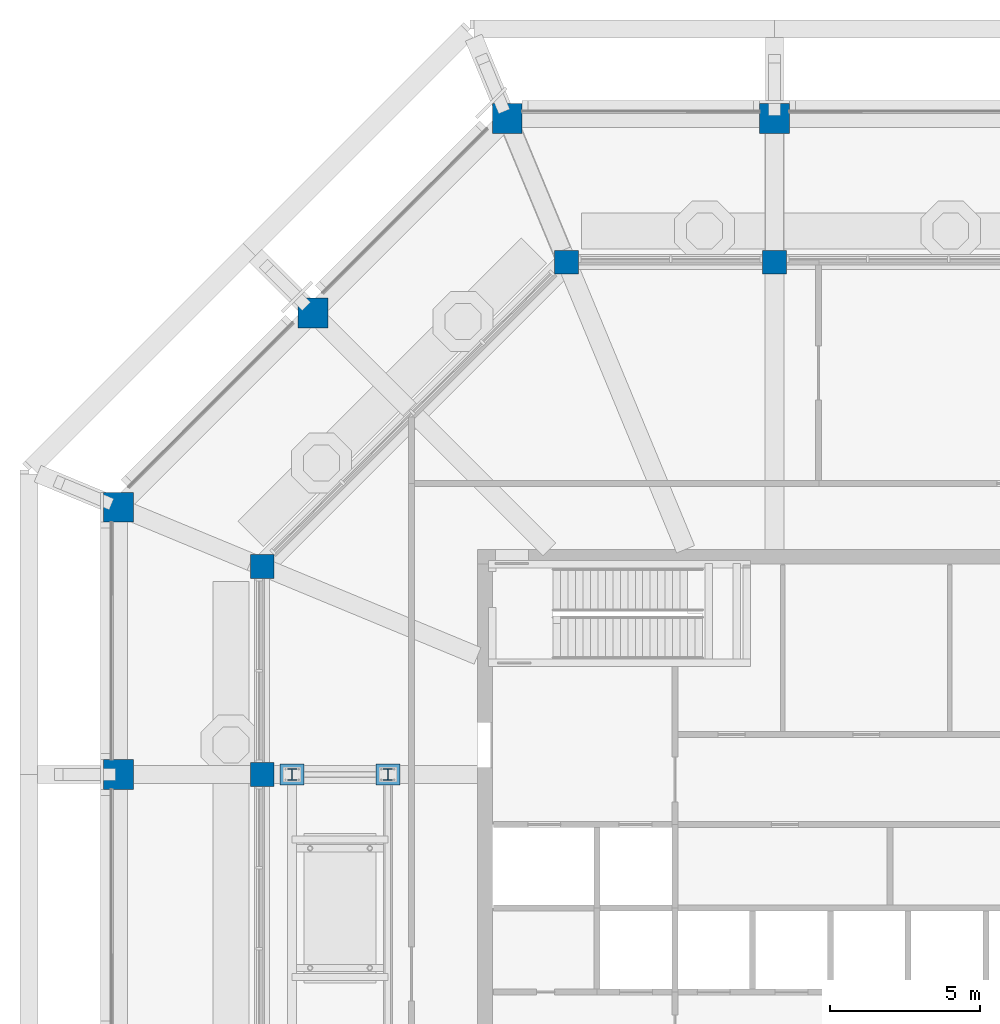
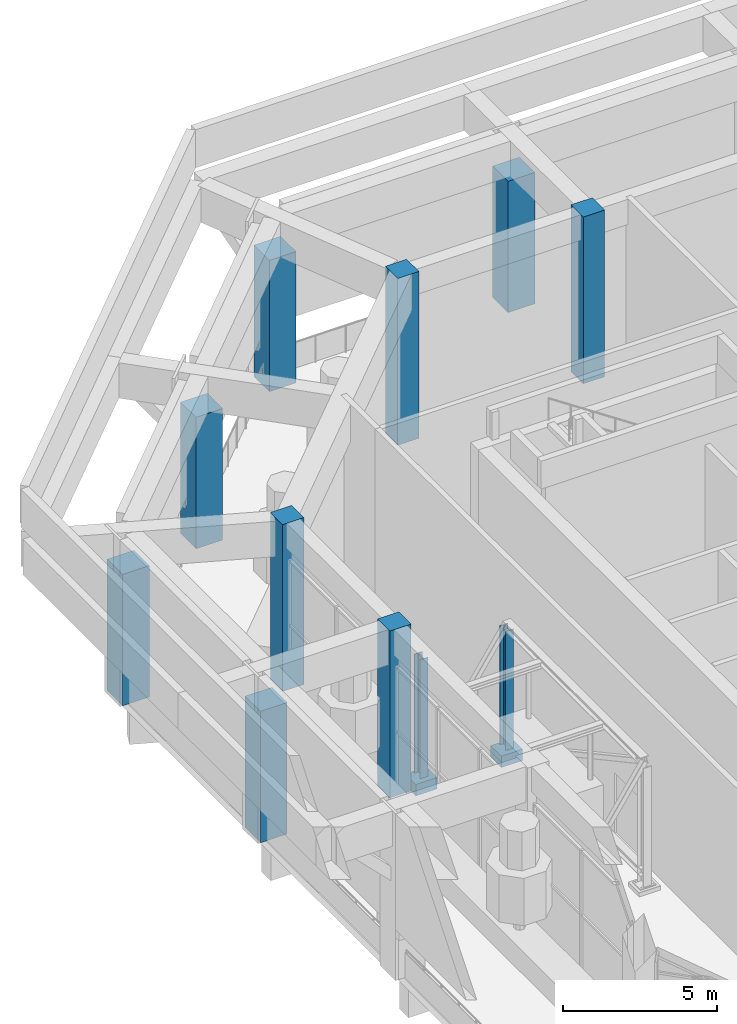
# One storey, part 3 of 29: 13 columns.
"""IFC4 building model written with IfcOpenShell, lengths in metres."""

from ifc_helpers import new_model, si_unit, direction, frame, origin, origin_2d, place, context, subcontext, project, spatial, rectangle, i_section, extrude, material, material_profile, profile_set, type_object, element, save


model = new_model("IFC4")

# Units and contexts
model_context = context("Model", 3, precision=1e-05, world=origin(), true_north=direction((0.0, 1.0)))
body_context = subcontext(model_context, "Body", "Model", "MODEL_VIEW")
ifc_project = project(units=[si_unit("LENGTHUNIT", "METRE"), si_unit("AREAUNIT", "SQUARE_METRE"), si_unit("VOLUMEUNIT", "CUBIC_METRE"), si_unit("PLANEANGLEUNIT", "RADIAN"), si_unit("MASSUNIT", "GRAM", prefix="KILO")], contexts=[model_context])

# Site, building, storey
site_placement = place(None, origin())
site = spatial("IfcSite", under=ifc_project, at=site_placement, CompositionType="ELEMENT")
building_placement = place(site_placement, origin())
building = spatial("IfcBuilding", under=site, at=building_placement, Name="Msitu Wima Residences", CompositionType="ELEMENT")
storey_placement = place(building_placement, frame((0.0, 0.0, 320.10009765625)))
storey = spatial("IfcBuildingStorey", under=building, at=storey_placement, Name="L74", CompositionType="ELEMENT", Elevation=320.10009765625)

# Columns
ifc_material_1 = material(Name="Concrete C60/75", Category="concrete")
ifc_material_profile_1 = material_profile(ifc_material_1, rectangle(XDim=1.0, YDim=1.0, at=origin_2d()), Name="RC 1000x1000")
ifc_profile_set_1 = profile_set([ifc_material_profile_1], Name="Concrete C60/75")
column_type_1 = type_object("IfcColumnType", Name="Canopy pier CP1000", PredefinedType="COLUMN", material=ifc_profile_set_1)
for number, where, z_axis, x_axis, name in (
    (1, (-4.46875, 26.39990234375, 0.0), (0.0, 0.0, 1.0), (1.0, 0.0, 0.0), "Canopy pier C-N2"),
    (2, (-13.406005859375, 26.39990234375, 0.0), (0.0, 0.0, 1.0), (1.0, 0.0, 0.0), "Canopy pier C-NW0"),
    (3, (-19.90283203125, 19.90283203125, 0.0), (0.0, 0.0, 1.0), (1.0, 0.0, 0.0), "Canopy pier C-NW1"),
    (4, (-26.39990234375, 13.406005859375, 0.0), (0.0, 0.0, 1.0), (1.0, 0.0, 0.0), "Canopy pier C-W0"),
    (5, (-26.39990234375, 4.46875, 0.0), (0.0, 0.0, 1.0), (1.0, 0.0, 0.0), "Canopy pier C-W1"),
):
    element("IfcColumn", number, at=place(storey_placement, frame(where, z_axis=z_axis, x_axis=x_axis)), inside=storey, type_object=column_type_1, Name=name, PredefinedType="COLUMN", context=body_context, shape_type="SweptSolid", body=[
        extrude(rectangle(XDim=1.0, YDim=1.0, at=origin_2d()), origin(), (0.0, 0.0, 1.0), 5.199951171875),
    ])
ifc_material_profile_2 = material_profile(ifc_material_1, rectangle(XDim=0.800048828125, YDim=0.800048828125, at=origin_2d()), Name="RC 800x800")
ifc_profile_set_2 = profile_set([ifc_material_profile_2], Name="Concrete C60/75")
column_type_2 = type_object("IfcColumnType", Name="Chamber column CC800", PredefinedType="COLUMN", material=ifc_profile_set_2)
for number, where, z_axis, x_axis, name in (
    (6, (-4.46875, 21.60009765625, 0.0), (0.0, 0.0, 1.0), (1.0, 0.0, 0.0), "Chamber column CH6"),
    (7, (-11.417724609375, 21.60009765625, 0.0), (0.0, 0.0, 1.0), (1.0, 0.0, 0.0), "Chamber column CH7"),
    (8, (-21.60009765625, 11.417724609375, 0.0), (0.0, 0.0, 1.0), (1.0, 0.0, 0.0), "Chamber column CH8"),
    (9, (-21.60009765625, 4.46875, 0.0), (0.0, 0.0, 1.0), (1.0, 0.0, 0.0), "Chamber column CH9"),
):
    element("IfcColumn", number, at=place(storey_placement, frame(where, z_axis=z_axis, x_axis=x_axis)), inside=storey, type_object=column_type_2, Name=name, PredefinedType="COLUMN", context=body_context, shape_type="SweptSolid", body=[
        extrude(rectangle(XDim=0.800048828125, YDim=0.800048828125, at=origin_2d()), origin(), (0.0, 0.0, 1.0), 6.599853515625),
    ])
ifc_material_2 = material(Name="Steel S355", Category="steel")
ifc_material_profile_3 = material_profile(ifc_material_2, i_section(OverallWidth=0.300048828125, OverallDepth=0.39990234375, WebThickness=0.013427734375, FlangeThickness=0.02392578125, FilletRadius=0.027099609375, at=origin_2d()), Name="HEB 400")
ifc_profile_set_3 = profile_set([ifc_material_profile_3], Name="Steel S355")
column_type_3 = type_object("IfcColumnType", Name="Damper frame HEB 400", PredefinedType="COLUMN", material=ifc_profile_set_3)
for number, where, z_axis, x_axis, name in (
    (10, (-17.39990234375, 4.46875, 0.19482421875), (0.0, 0.0, 1.0), (1.0, 0.0, 0.0), "Damper frame column W2"),
    (11, (-20.60009765625, 4.46875, 0.19482421875), (0.0, 0.0, 1.0), (1.0, 0.0, 0.0), "Damper frame column W4"),
):
    element("IfcColumn", number, at=place(storey_placement, frame(where, z_axis=z_axis, x_axis=x_axis)), inside=storey, type_object=column_type_3, Name=name, PredefinedType="COLUMN", context=body_context, shape_type="SweptSolid", body=[
        extrude(i_section(OverallWidth=0.300048828125, OverallDepth=0.39990234375, WebThickness=0.013427734375, FlangeThickness=0.02392578125, FilletRadius=0.027099609375, at=origin_2d()), origin(), (0.0, 0.0, 1.0), 4.705078125),
    ])
ifc_material_profile_4 = material_profile(ifc_material_1, rectangle(XDim=0.800048828125, YDim=0.699951171875, at=origin_2d()), Name="RC 800x700")
ifc_profile_set_4 = profile_set([ifc_material_profile_4], Name="Concrete C60/75")
column_type_4 = type_object("IfcColumnType", Name="Damper pedestal DP800x700", PredefinedType="COLUMN", material=ifc_profile_set_4)
for number, where, z_axis, x_axis, name in (
    (12, (-17.39990234375, 4.46875, -0.300048828125), (0.0, 0.0, 1.0), (1.0, 0.0, 0.0), "Damper frame pedestal W2"),
    (13, (-20.60009765625, 4.46875, -0.300048828125), (0.0, 0.0, 1.0), (1.0, 0.0, 0.0), "Damper frame pedestal W4"),
):
    element("IfcColumn", number, at=place(storey_placement, frame(where, z_axis=z_axis, x_axis=x_axis)), inside=storey, type_object=column_type_4, Name=name, PredefinedType="COLUMN", context=body_context, shape_type="SweptSolid", body=[
        extrude(rectangle(XDim=0.800048828125, YDim=0.699951171875, at=origin_2d()), origin(), (0.0, 0.0, 1.0), 0.449951171875),
    ])

save(model, "model.ifc")
